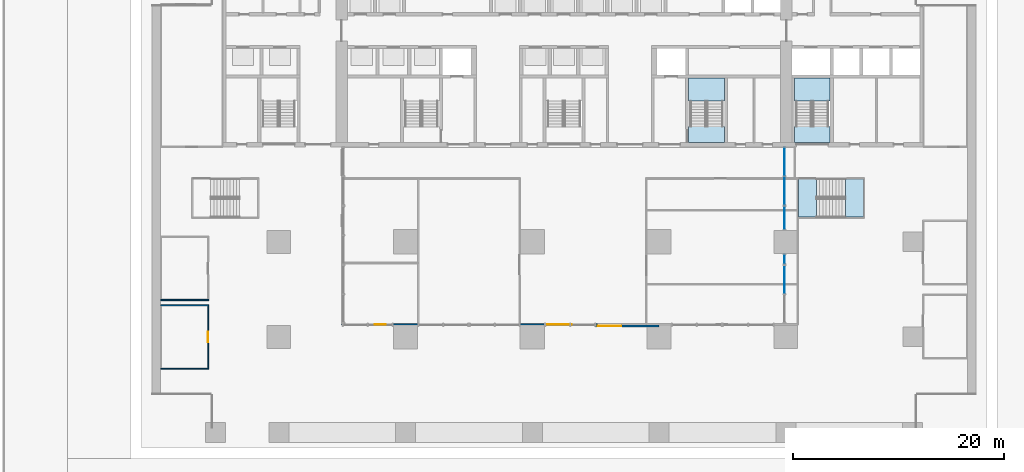
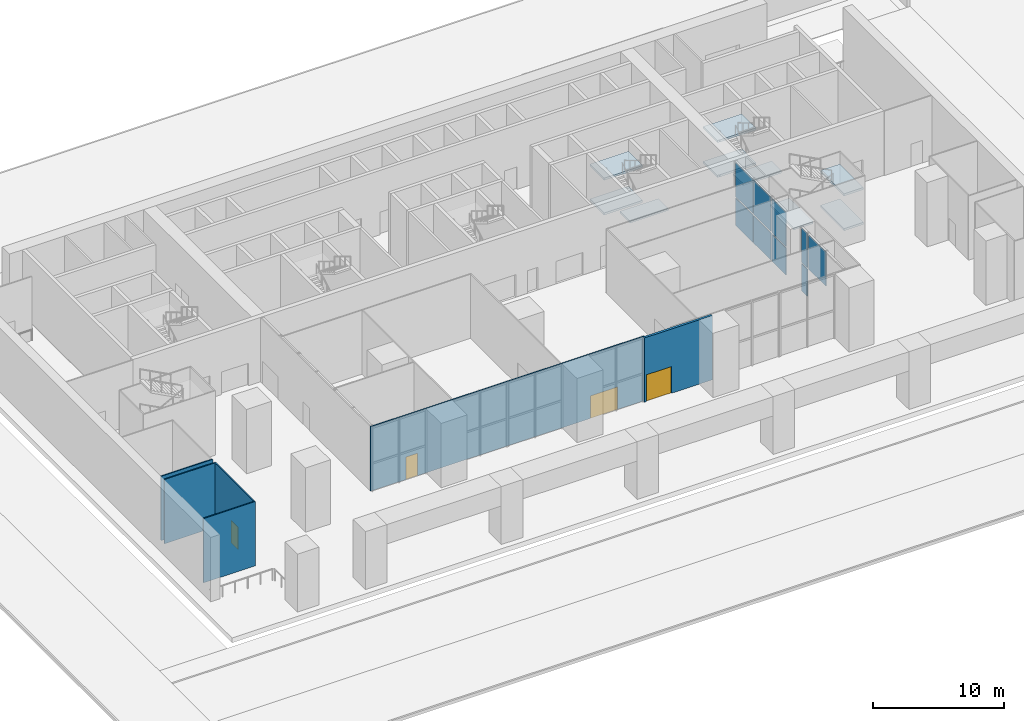
# One storey, part 5 of 16: 9 plates, 9 slabs, 6 walls, 4 doors, 4 openings, 7 elements without a shape of their own.
"""IFC4 building model written with IfcOpenShell, lengths in metres."""

from ifc_helpers import new_model, si_unit, direction, frame, frame_2d, origin, origin_2d, place, context, subcontext, project, spatial, polyline, rectangle, outline, extrude, material, layer, layer_set, type_object, element, fill, aggregate, save


model = new_model("IFC4")

# Units and contexts
model_context = context("Model", 3, precision=1e-05, world=origin(), true_north=direction((0.0, 1.0)))
body_context = subcontext(model_context, "Body", "Model", "MODEL_VIEW")
ifc_project = project(units=[si_unit("LENGTHUNIT", "METRE"), si_unit("AREAUNIT", "SQUARE_METRE"), si_unit("VOLUMEUNIT", "CUBIC_METRE"), si_unit("PLANEANGLEUNIT", "RADIAN"), si_unit("MASSUNIT", "GRAM", prefix="KILO")], contexts=[model_context])

# Site, building, storey
site_placement = place(None, origin())
site = spatial("IfcSite", under=ifc_project, at=site_placement, CompositionType="ELEMENT")
building_placement = place(site_placement, origin())
building = spatial("IfcBuilding", under=site, at=building_placement, Name="Calvaro Tower", CompositionType="ELEMENT")
storey_placement = place(building_placement, origin())
storey = spatial("IfcBuildingStorey", under=building, at=storey_placement, Name="L00", CompositionType="ELEMENT", Elevation=0.0)

# Curtain wall, plate
ifc_material_1 = material(Name="Anodised aluminium", Category="aluminium")
curtain_wall_type = type_object("IfcCurtainWallType", Name="Lobby pavilion glazing", PredefinedType="NOTDEFINED", material=ifc_material_1)
curtain_wall_1_placement = place(storey_placement, origin())
curtain_wall_1 = element("IfcCurtainWall", 1, at=curtain_wall_1_placement, inside=storey, type_object=curtain_wall_type, Name="CW7 lobby glazing", PredefinedType="NOTDEFINED")
ifc_material_2 = material(Name="Glass", Category="glass")
ifc_layer_1 = layer(ifc_material_2, 0.052001953125)
ifc_layer_set_1 = layer_set([ifc_layer_1], Name="Glass")
plate_type = type_object("IfcPlateType", Name="Glass panel LP 52", PredefinedType="CURTAIN_PANEL", material=ifc_layer_set_1)
plate_1_placement = place(storey_placement, frame((59.875, 15.43115234375, 2.669921875), z_axis=(0.0, 0.0, 1.0), x_axis=(0.0, 1.0, 0.0)))
plate_1 = element("IfcPlate", 2, at=plate_1_placement, type_object=plate_type, Name="CW7 glass panel 2.2", PredefinedType="CURTAIN_PANEL", context=body_context, shape_type="SweptSolid", body=[
    extrude(rectangle(XDim=2.637451171875, YDim=0.052001953125, at=origin_2d()), origin(), (0.0, 0.0, 1.0), 3.18994140625),
])
aggregate(curtain_wall_1, [plate_1])

# Curtain wall, plates
curtain_wall_2_placement = place(storey_placement, origin())
curtain_wall_2 = element("IfcCurtainWall", 3, at=curtain_wall_2_placement, inside=storey, type_object=curtain_wall_type, Name="CW7 lobby glazing", PredefinedType="NOTDEFINED")
plate_2_placement = place(storey_placement, frame((59.875, 17.375, 0.0), z_axis=(0.0, 0.0, 1.0), x_axis=(0.0, 1.0, 0.0)))
plate_2 = element("IfcPlate", 4, at=plate_2_placement, type_object=plate_type, Name="CW7 glass panel 1.1", PredefinedType="CURTAIN_PANEL", context=body_context, shape_type="SweptSolid", body=[
    extrude(rectangle(XDim=0.85009765625, YDim=0.052001953125, at=origin_2d()), origin(), (0.0, 0.0, 1.0), 2.530029296875),
])
plate_3_placement = place(storey_placement, frame((59.875, 17.375, 2.669921875), z_axis=(0.0, 0.0, 1.0), x_axis=(0.0, 1.0, 0.0)))
plate_3 = element("IfcPlate", 5, at=plate_3_placement, type_object=plate_type, Name="CW7 glass panel 1.2", PredefinedType="CURTAIN_PANEL", context=body_context, shape_type="SweptSolid", body=[
    extrude(rectangle(XDim=0.85009765625, YDim=0.052001953125, at=origin_2d()), origin(), (0.0, 0.0, 1.0), 3.18994140625),
])
aggregate(curtain_wall_2, [plate_2, plate_3])

curtain_wall_3_placement = place(storey_placement, origin())
curtain_wall_3 = element("IfcCurtainWall", 6, at=curtain_wall_3_placement, inside=storey, type_object=curtain_wall_type, Name="CW7 lobby glazing", PredefinedType="NOTDEFINED")
plate_4_placement = place(storey_placement, frame((59.875, 21.262451171875, 0.0), z_axis=(0.0, 0.0, 1.0), x_axis=(0.0, 1.0, 0.0)))
plate_4 = element("IfcPlate", 7, at=plate_4_placement, type_object=plate_type, Name="CW7 glass panel 1.1", PredefinedType="CURTAIN_PANEL", context=body_context, shape_type="SweptSolid", body=[
    extrude(rectangle(XDim=2.125, YDim=0.052001953125, at=origin_2d()), origin(), (0.0, 0.0, 1.0), 2.530029296875),
])
plate_5_placement = place(storey_placement, frame((59.875, 21.262451171875, 2.669921875), z_axis=(0.0, 0.0, 1.0), x_axis=(0.0, 1.0, 0.0)))
plate_5 = element("IfcPlate", 8, at=plate_5_placement, type_object=plate_type, Name="CW7 glass panel 1.2", PredefinedType="CURTAIN_PANEL", context=body_context, shape_type="SweptSolid", body=[
    extrude(rectangle(XDim=2.125, YDim=0.052001953125, at=origin_2d()), origin(), (0.0, 0.0, 1.0), 3.18994140625),
])
aggregate(curtain_wall_3, [plate_4, plate_5])

curtain_wall_4_placement = place(storey_placement, origin())
curtain_wall_4 = element("IfcCurtainWall", 9, at=curtain_wall_4_placement, inside=storey, type_object=curtain_wall_type, Name="CW7 lobby glazing", PredefinedType="NOTDEFINED")
plate_6_placement = place(storey_placement, frame((59.875, 23.84375, 0.0), z_axis=(0.0, 0.0, 1.0), x_axis=(0.0, 1.0, 0.0)))
plate_6 = element("IfcPlate", 10, at=plate_6_placement, type_object=plate_type, Name="CW7 glass panel 1.1", PredefinedType="CURTAIN_PANEL", context=body_context, shape_type="SweptSolid", body=[
    extrude(rectangle(XDim=2.637451171875, YDim=0.052001953125, at=origin_2d()), origin(), (0.0, 0.0, 1.0), 2.530029296875),
])
plate_7_placement = place(storey_placement, frame((59.875, 23.84375, 2.669921875), z_axis=(0.0, 0.0, 1.0), x_axis=(0.0, 1.0, 0.0)))
plate_7 = element("IfcPlate", 11, at=plate_7_placement, type_object=plate_type, Name="CW7 glass panel 1.2", PredefinedType="CURTAIN_PANEL", context=body_context, shape_type="SweptSolid", body=[
    extrude(rectangle(XDim=2.637451171875, YDim=0.052001953125, at=origin_2d()), origin(), (0.0, 0.0, 1.0), 3.18994140625),
])
plate_8_placement = place(storey_placement, frame((59.875, 26.581298828125, 0.0), z_axis=(0.0, 0.0, 1.0), x_axis=(0.0, 1.0, 0.0)))
plate_8 = element("IfcPlate", 12, at=plate_8_placement, type_object=plate_type, Name="CW7 glass panel 2.1", PredefinedType="CURTAIN_PANEL", context=body_context, shape_type="SweptSolid", body=[
    extrude(rectangle(XDim=2.637451171875, YDim=0.052001953125, at=origin_2d()), origin(), (0.0, 0.0, 1.0), 2.530029296875),
])
plate_9_placement = place(storey_placement, frame((59.875, 26.581298828125, 2.669921875), z_axis=(0.0, 0.0, 1.0), x_axis=(0.0, 1.0, 0.0)))
plate_9 = element("IfcPlate", 13, at=plate_9_placement, type_object=plate_type, Name="CW7 glass panel 2.2", PredefinedType="CURTAIN_PANEL", context=body_context, shape_type="SweptSolid", body=[
    extrude(rectangle(XDim=2.637451171875, YDim=0.052001953125, at=origin_2d()), origin(), (0.0, 0.0, 1.0), 3.18994140625),
])
aggregate(curtain_wall_4, [plate_6, plate_7, plate_8, plate_9])

# Stair, slabs
ifc_material_3 = material(Name="Concrete C40/50", Category="concrete")
stair_type_1 = type_object("IfcStairType", Name="Exit stair 1400 4 flights", PredefinedType="DOUBLE_RETURN_STAIR", material=ifc_material_3)
stair_1_placement = place(storey_placement, origin())
stair_1 = element("IfcStair", 14, at=stair_1_placement, inside=storey, type_object=stair_type_1, Name="Exit stair S4", PredefinedType="DOUBLE_RETURN_STAIR")
ifc_material_4 = material(Name="Concrete C40/50", Category="concrete")
ifc_layer_2 = layer(ifc_material_4, 0.199951171875)
ifc_layer_set_2 = layer_set([ifc_layer_2], Name="Concrete C40/50")
slab_type = type_object("IfcSlabType", Name="Stair landing", PredefinedType="LANDING", material=ifc_layer_set_2)
slab_1_placement = place(storey_placement, frame((0.0, 0.0, 1.425048828125)))
slab_1 = element("IfcSlab", 15, at=slab_1_placement, type_object=slab_type, Name="Exit stair 4, landing 1", PredefinedType="LANDING", context=body_context, shape_type="SweptSolid", body=[
    extrude(outline(polyline([(52.39990234375, 32.320068359375), (51.0, 32.320068359375), (51.0, 32.330078125), (50.800048828125, 32.330078125), (50.800048828125, 34.5), (51.0, 34.5), (52.39990234375, 34.5), (52.60009765625, 34.5), (54.0, 34.5), (54.199951171875, 34.5), (54.199951171875, 32.330078125), (54.0, 32.330078125), (54.0, 32.320068359375), (52.60009765625, 32.320068359375), (52.60009765625, 32.330078125), (52.39990234375, 32.330078125), (52.39990234375, 32.320068359375)])), origin(), (0.0, 0.0, 1.0), 0.199951171875),
])
slab_2_placement = place(storey_placement, frame((0.0, 0.0, 3.050048828125)))
slab_2 = element("IfcSlab", 16, at=slab_2_placement, type_object=slab_type, Name="Exit stair 4, landing 2", PredefinedType="LANDING", context=body_context, shape_type="SweptSolid", body=[
    extrude(outline(polyline([(54.199951171875, 29.909912109375), (54.199951171875, 28.39990234375), (50.800048828125, 28.39990234375), (50.800048828125, 29.909912109375), (51.0, 29.909912109375), (52.39990234375, 29.909912109375), (54.199951171875, 29.909912109375)])), origin(), (0.0, 0.0, 1.0), 0.199951171875),
])
slab_3_placement = place(storey_placement, frame((0.0, 0.0, 4.675048828125)))
slab_3 = element("IfcSlab", 17, at=slab_3_placement, type_object=slab_type, Name="Exit stair 4, landing 3", PredefinedType="LANDING", context=body_context, shape_type="SweptSolid", body=[
    extrude(outline(polyline([(52.39990234375, 32.320068359375), (51.0, 32.320068359375), (51.0, 32.330078125), (50.800048828125, 32.330078125), (50.800048828125, 34.5), (51.0, 34.5), (52.39990234375, 34.5), (52.60009765625, 34.5), (54.0, 34.5), (54.199951171875, 34.5), (54.199951171875, 32.330078125), (54.0, 32.330078125), (54.0, 32.320068359375), (52.60009765625, 32.320068359375), (52.60009765625, 32.330078125), (52.39990234375, 32.330078125), (52.39990234375, 32.320068359375)])), origin(), (0.0, 0.0, 1.0), 0.199951171875),
])
aggregate(stair_1, [slab_1, slab_2, slab_3])

stair_2_placement = place(storey_placement, origin())
stair_2 = element("IfcStair", 18, at=stair_2_placement, inside=storey, type_object=stair_type_1, Name="Exit stair S5", PredefinedType="DOUBLE_RETURN_STAIR")
slab_4_placement = place(storey_placement, frame((0.0, 0.0, 1.425048828125)))
slab_4 = element("IfcSlab", 19, at=slab_4_placement, type_object=slab_type, Name="Exit stair 5, landing 1", PredefinedType="LANDING", context=body_context, shape_type="SweptSolid", body=[
    extrude(outline(polyline([(62.39990234375, 32.320068359375), (61.0, 32.320068359375), (61.0, 32.330078125), (60.800048828125, 32.330078125), (60.800048828125, 34.5), (61.0, 34.5), (62.39990234375, 34.5), (62.60009765625, 34.5), (64.0, 34.5), (64.199951171875, 34.5), (64.199951171875, 32.330078125), (64.0, 32.330078125), (64.0, 32.320068359375), (62.60009765625, 32.320068359375), (62.60009765625, 32.330078125), (62.39990234375, 32.330078125), (62.39990234375, 32.320068359375)])), origin(), (0.0, 0.0, 1.0), 0.199951171875),
])
slab_5_placement = place(storey_placement, frame((0.0, 0.0, 3.050048828125)))
slab_5 = element("IfcSlab", 20, at=slab_5_placement, type_object=slab_type, Name="Exit stair 5, landing 2", PredefinedType="LANDING", context=body_context, shape_type="SweptSolid", body=[
    extrude(outline(polyline([(64.199951171875, 29.909912109375), (64.199951171875, 28.39990234375), (60.800048828125, 28.39990234375), (60.800048828125, 29.909912109375), (61.0, 29.909912109375), (62.39990234375, 29.909912109375), (64.199951171875, 29.909912109375)])), origin(), (0.0, 0.0, 1.0), 0.199951171875),
])
slab_6_placement = place(storey_placement, frame((0.0, 0.0, 4.675048828125)))
slab_6 = element("IfcSlab", 21, at=slab_6_placement, type_object=slab_type, Name="Exit stair 5, landing 3", PredefinedType="LANDING", context=body_context, shape_type="SweptSolid", body=[
    extrude(outline(polyline([(62.39990234375, 32.320068359375), (61.0, 32.320068359375), (61.0, 32.330078125), (60.800048828125, 32.330078125), (60.800048828125, 34.5), (61.0, 34.5), (62.39990234375, 34.5), (62.60009765625, 34.5), (64.0, 34.5), (64.199951171875, 34.5), (64.199951171875, 32.330078125), (64.0, 32.330078125), (64.0, 32.320068359375), (62.60009765625, 32.320068359375), (62.60009765625, 32.330078125), (62.39990234375, 32.330078125), (62.39990234375, 32.320068359375)])), origin(), (0.0, 0.0, 1.0), 0.199951171875),
])
aggregate(stair_2, [slab_4, slab_5, slab_6])

ifc_material_5 = material(Name="Concrete C40/50", Category="concrete")
stair_type_2 = type_object("IfcStairType", Name="Exit stair 1700 4 flights", PredefinedType="DOUBLE_RETURN_STAIR", material=ifc_material_5)
stair_3_placement = place(storey_placement, origin())
stair_3 = element("IfcStair", 22, at=stair_3_placement, inside=storey, type_object=stair_type_2, Name="Exit stair 7", PredefinedType="DOUBLE_RETURN_STAIR")
slab_7_placement = place(storey_placement, frame((0.0, 0.0, 1.425048828125)))
slab_7 = element("IfcSlab", 23, at=slab_7_placement, type_object=slab_type, Name="Exit stair 7, landing 1", PredefinedType="LANDING", context=body_context, shape_type="SweptSolid", body=[
    extrude(outline(polyline([(65.64501953125, 23.050048828125), (65.64501953125, 23.25), (65.635009765625, 23.25), (65.635009765625, 24.949951171875), (67.35009765625, 24.949951171875), (67.35009765625, 24.949951171875), (67.35009765625, 23.25), (67.35009765625, 23.050048828125), (67.35009765625, 21.35009765625), (67.35009765625, 21.35009765625), (65.635009765625, 21.35009765625), (65.635009765625, 23.050048828125), (65.64501953125, 23.050048828125)])), origin(), (0.0, 0.0, 1.0), 0.199951171875),
])
slab_8_placement = place(storey_placement, frame((0.0, 0.0, 3.050048828125)))
slab_8 = element("IfcSlab", 24, at=slab_8_placement, type_object=slab_type, Name="Exit stair 7, landing 2", PredefinedType="LANDING", context=body_context, shape_type="SweptSolid", body=[
    extrude(outline(polyline([(62.909912109375, 23.050048828125), (62.909912109375, 21.35009765625), (62.909912109375, 21.35009765625), (62.89990234375, 21.35009765625), (62.89990234375, 21.35009765625), (61.199951171875, 21.35009765625), (61.199951171875, 24.949951171875), (62.909912109375, 24.949951171875), (62.909912109375, 23.050048828125)])), origin(), (0.0, 0.0, 1.0), 0.199951171875),
])
slab_9_placement = place(storey_placement, frame((0.0, 0.0, 4.675048828125)))
slab_9 = element("IfcSlab", 25, at=slab_9_placement, type_object=slab_type, Name="Exit stair 7, landing 3", PredefinedType="LANDING", context=body_context, shape_type="SweptSolid", body=[
    extrude(outline(polyline([(65.64501953125, 23.050048828125), (65.64501953125, 23.25), (65.635009765625, 23.25), (65.635009765625, 24.949951171875), (67.35009765625, 24.949951171875), (67.35009765625, 24.949951171875), (67.35009765625, 23.25), (67.35009765625, 23.050048828125), (67.35009765625, 21.35009765625), (67.35009765625, 21.35009765625), (65.635009765625, 21.35009765625), (65.635009765625, 23.050048828125), (65.64501953125, 23.050048828125)])), origin(), (0.0, 0.0, 1.0), 0.199951171875),
])
aggregate(stair_3, [slab_7, slab_8, slab_9])

# Wall, openings, doors
ifc_material_6 = material(Name="Glass", Category="glass")
ifc_layer_3 = layer(ifc_material_6, 0.10009765625)
ifc_layer_set_3 = layer_set([ifc_layer_3], Name="Glass")
wall_type_1 = type_object("IfcWallType", Name="External glazed partition 100", PredefinedType="PARTITIONING", material=ifc_layer_set_3)
wall_1_placement = place(storey_placement, frame((17.949951171875, 11.199951171875, 0.0), z_axis=(0.0, 0.0, 1.0), x_axis=(1.0, 0.0, 0.0)))
wall_1 = element("IfcWall", 26, at=wall_1_placement, inside=storey, type_object=wall_type_1, Name="Partition T03.W003", PredefinedType="PARTITIONING", context=body_context, shape_type="SweptSolid", body=[
    extrude(rectangle(XDim=24.199951171875, YDim=0.10009765625, at=frame_2d((12.10009765625, 0.0))), origin(), (0.0, 0.0, 1.0), 6.0),
])
opening_1_placement = place(wall_1_placement, frame((19.39990234375, 0.0, 0.0)))
opening_1 = element("IfcOpeningElement", 27, at=opening_1_placement, cuts=wall_1, Name="Opening T03.002", PredefinedType="OPENING", context=body_context, shape_type="SweptSolid", body=[
    extrude(rectangle(XDim=2.39990234375, YDim=2.10009765625, at=frame_2d((1.199951171875, 1.050048828125))), frame((0.0, 0.06005859375, 0.0), z_axis=(0.0, -1.0, 0.0), x_axis=(1.0, 0.0, 0.0)), (0.0, 0.0, 1.0), 0.1201171875),
])
opening_2_placement = place(wall_1_placement, frame((3.14990234375, 0.0, 0.0)))
opening_2 = element("IfcOpeningElement", 28, at=opening_2_placement, cuts=wall_1, Name="Opening T03.006", PredefinedType="OPENING", context=body_context, shape_type="SweptSolid", body=[
    extrude(rectangle(XDim=1.0, YDim=2.10009765625, at=frame_2d((0.5, 1.050048828125))), frame((0.0, 0.06005859375, 0.0), z_axis=(0.0, -1.0, 0.0), x_axis=(1.0, 0.0, 0.0)), (0.0, 0.0, 1.0), 0.1201171875),
])
ifc_material_7 = material(Name="Glass", Category="glass")
door_type_1 = type_object("IfcDoorType", Name="External glazed double door 2400 x 2100", OperationType="DOUBLE_DOOR_SINGLE_SWING", PredefinedType="DOOR", material=ifc_material_7)
door_1_placement = place(opening_1_placement, frame((2.39990234375, 0.0, 0.0), z_axis=(0.0, 0.0, 1.0), x_axis=(-1.0, 0.0, 0.0)))
door_1 = element("IfcDoor", 29, at=door_1_placement, inside=storey, type_object=door_type_1, Name="Door T03.002", OperationType="DOUBLE_DOOR_SINGLE_SWING", OverallHeight=2.10009765625, OverallWidth=2.39990234375, PredefinedType="DOOR", context=body_context, shape_type="SweptSolid", body=[
    extrude(rectangle(XDim=2.39990234375, YDim=2.10009765625, at=frame_2d((1.199951171875, 1.050048828125))), frame((0.0, 0.02490234375, 0.0), z_axis=(0.0, -1.0, 0.0), x_axis=(1.0, 0.0, 0.0)), (0.0, 0.0, 1.0), 0.050048828125),
])
fill(opening_1, door_1)
ifc_material_8 = material(Name="Glass", Category="glass")
door_type_2 = type_object("IfcDoorType", Name="External glazed single door 1000 x 2100", OperationType="SINGLE_SWING_LEFT", PredefinedType="DOOR", material=ifc_material_8)
door_2_placement = place(opening_2_placement, frame((1.0, 0.0, 0.0), z_axis=(0.0, 0.0, 1.0), x_axis=(-1.0, 0.0, 0.0)))
door_2 = element("IfcDoor", 30, at=door_2_placement, inside=storey, type_object=door_type_2, Name="Door T03.006", OperationType="SINGLE_SWING_RIGHT", OverallHeight=2.10009765625, OverallWidth=1.0, PredefinedType="DOOR", context=body_context, shape_type="SweptSolid", body=[
    extrude(rectangle(XDim=1.0, YDim=2.10009765625, at=frame_2d((0.5, 1.050048828125))), frame((0.0, 0.02490234375, 0.0), z_axis=(0.0, -1.0, 0.0), x_axis=(1.0, 0.0, 0.0)), (0.0, 0.0, 1.0), 0.050048828125),
])
fill(opening_2, door_2)

# Walls
ifc_material_9 = material(Name="Plasterboard on steel studs", Category="steel")
ifc_layer_4 = layer(ifc_material_9, 0.10009765625)
ifc_layer_set_4 = layer_set([ifc_layer_4], Name="Plasterboard on steel studs")
wall_type_2 = type_object("IfcWallType", Name="External partition 100", PredefinedType="PARTITIONING", material=ifc_layer_set_4)
for number, where, z_axis, x_axis, name in (
    (31, (0.800048828125, 7.0, 0.0), (0.0, 0.0, 1.0), (1.0, 0.0, 0.0), "Partition T03.W001"),
    (32, (0.800048828125, 13.0, 0.0), (0.0, 0.0, 1.0), (1.0, 0.0, 0.0), "Partition T03.W005"),
    (33, (0.800048828125, 13.5, 0.0), (0.0, 0.0, 1.0), (1.0, 0.0, 0.0), "Partition T03.W006"),
):
    element("IfcWall", number, at=place(storey_placement, frame(where, z_axis=z_axis, x_axis=x_axis)), inside=storey, type_object=wall_type_2, Name=name, PredefinedType="PARTITIONING", context=body_context, shape_type="SweptSolid", body=[
        extrude(rectangle(XDim=4.550048828125, YDim=0.10009765625, at=frame_2d((2.27490234375, 0.0))), origin(), (0.0, 0.0, 1.0), 6.0),
    ])

# Wall, opening, door
wall_2_placement = place(storey_placement, frame((5.300048828125, 7.050048828125, 0.0), z_axis=(0.0, 0.0, 1.0), x_axis=(0.0, 1.0, 0.0)))
wall_2 = element("IfcWall", 34, at=wall_2_placement, inside=storey, type_object=wall_type_2, Name="Partition T03.W024", PredefinedType="PARTITIONING", context=body_context, shape_type="SweptSolid", body=[
    extrude(rectangle(XDim=5.89990234375, YDim=0.10009765625, at=frame_2d((2.949951171875, 0.0))), origin(), (0.0, 0.0, 1.0), 6.0),
])
opening_3_placement = place(wall_2_placement, frame((2.449951171875, 0.0, 0.0)))
opening_3 = element("IfcOpeningElement", 35, at=opening_3_placement, cuts=wall_2, Name="Opening T03.003", PredefinedType="OPENING", context=body_context, shape_type="SweptSolid", body=[
    extrude(rectangle(XDim=1.0, YDim=2.10009765625, at=frame_2d((0.5, 1.050048828125))), frame((0.0, 0.06005859375, 0.0), z_axis=(0.0, -1.0, 0.0), x_axis=(1.0, 0.0, 0.0)), (0.0, 0.0, 1.0), 0.1201171875),
])
ifc_material_10 = material(Name="Timber", Category="wood")
door_type_3 = type_object("IfcDoorType", Name="External single door 1000 x 2100", OperationType="SINGLE_SWING_LEFT", PredefinedType="DOOR", material=ifc_material_10)
door_3_placement = place(opening_3_placement, frame((1.0, 0.0, 0.0), z_axis=(0.0, 0.0, 1.0), x_axis=(-1.0, 0.0, 0.0)))
door_3 = element("IfcDoor", 36, at=door_3_placement, inside=storey, type_object=door_type_3, Name="Door T03.003", OperationType="SINGLE_SWING_LEFT", OverallHeight=2.10009765625, OverallWidth=1.0, PredefinedType="DOOR", context=body_context, shape_type="SweptSolid", body=[
    extrude(rectangle(XDim=1.0, YDim=2.10009765625, at=frame_2d((0.5, 1.050048828125))), frame((0.0, 0.02490234375, 0.0), z_axis=(0.0, -1.0, 0.0), x_axis=(1.0, 0.0, 0.0)), (0.0, 0.0, 1.0), 0.050048828125),
])
fill(opening_3, door_3)

ifc_material_11 = material(Name="Anodised aluminium", Category="aluminium")
ifc_layer_5 = layer(ifc_material_11, 0.199951171875)
ifc_layer_set_5 = layer_set([ifc_layer_5], Name="Anodised aluminium")
wall_type_3 = type_object("IfcWallType", Name="Insulated door wall 200", PredefinedType="SOLIDWALL", material=ifc_layer_set_5)
wall_3_placement = place(storey_placement, frame((42.0, 11.050048828125, 0.0), z_axis=(0.0, 0.0, 1.0), x_axis=(1.0, 0.0, 0.0)))
wall_3 = element("IfcWall", 37, at=wall_3_placement, inside=storey, type_object=wall_type_3, Name="Door wall", PredefinedType="SOLIDWALL", context=body_context, shape_type="SweptSolid", body=[
    extrude(rectangle(XDim=6.0, YDim=0.199951171875, at=frame_2d((3.0, 0.0))), origin(), (0.0, 0.0, 1.0), 6.0),
])
opening_4_placement = place(wall_3_placement, frame((0.199951171875, 0.0, 0.0)))
opening_4 = element("IfcOpeningElement", 38, at=opening_4_placement, cuts=wall_3, Name="Opening DE1", PredefinedType="OPENING", context=body_context, shape_type="SweptSolid", body=[
    extrude(rectangle(XDim=2.199951171875, YDim=2.5, at=frame_2d((1.10009765625, 1.25))), frame((0.0, 0.10986328125, 0.0), z_axis=(0.0, -1.0, 0.0), x_axis=(1.0, 0.0, 0.0)), (0.0, 0.0, 1.0), 0.219970703125),
])
ifc_material_12 = material(Name="Glass", Category="glass")
door_type_4 = type_object("IfcDoorType", Name="Entrance door pair 2200 x 2500", OperationType="DOUBLE_DOOR_SINGLE_SWING", PredefinedType="DOOR", material=ifc_material_12)
door_4_placement = place(opening_4_placement, frame((2.199951171875, 0.0, 0.0), z_axis=(0.0, 0.0, 1.0), x_axis=(-1.0, 0.0, 0.0)))
door_4 = element("IfcDoor", 39, at=door_4_placement, inside=storey, type_object=door_type_4, Name="Entrance door", OperationType="DOUBLE_DOOR_SINGLE_SWING", OverallHeight=2.5, OverallWidth=2.199951171875, PredefinedType="DOOR", context=body_context, shape_type="SweptSolid", body=[
    extrude(rectangle(XDim=2.199951171875, YDim=2.5, at=frame_2d((1.10009765625, 1.25))), frame((0.0, 0.02490234375, 0.0), z_axis=(0.0, -1.0, 0.0), x_axis=(1.0, 0.0, 0.0)), (0.0, 0.0, 1.0), 0.050048828125),
])
fill(opening_4, door_4)

save(model, "model.ifc")
